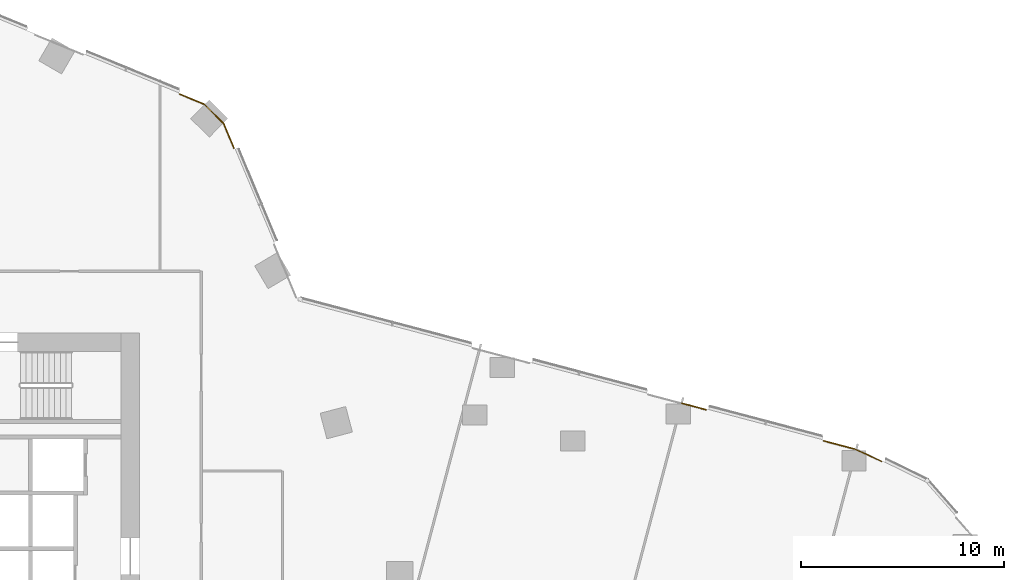
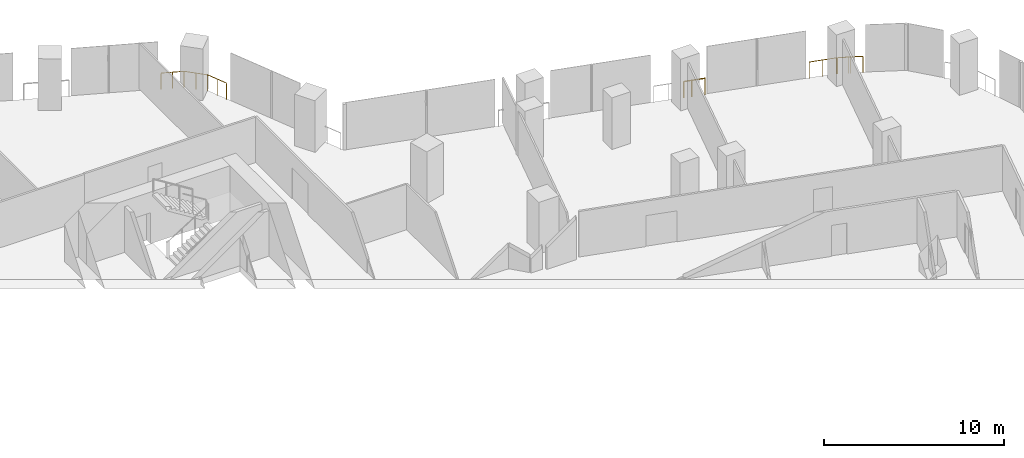
# One storey, part 34 of 34: 5 railings.
"""IFC4 building model written with IfcOpenShell, lengths in metres."""

from ifc_helpers import new_model, si_unit, direction, frame, origin, origin_2d, place, context, subcontext, project, spatial, circle, extrude, material, type_object, element, save


model = new_model("IFC4")

# Units and contexts
model_context = context("Model", 3, precision=1e-05, world=origin(), true_north=direction((0.0, 1.0)))
body_context = subcontext(model_context, "Body", "Model", "MODEL_VIEW")
ifc_project = project(units=[si_unit("LENGTHUNIT", "METRE"), si_unit("AREAUNIT", "SQUARE_METRE"), si_unit("VOLUMEUNIT", "CUBIC_METRE"), si_unit("PLANEANGLEUNIT", "RADIAN"), si_unit("MASSUNIT", "GRAM", prefix="KILO")], contexts=[model_context])

# Site, building, storey
site_placement = place(None, origin())
site = spatial("IfcSite", under=ifc_project, at=site_placement, CompositionType="ELEMENT")
building_placement = place(site_placement, origin())
building = spatial("IfcBuilding", under=site, at=building_placement, Name="Orlundy Tower", CompositionType="ELEMENT")
storey_placement = place(building_placement, frame((0.0, 0.0, 102.199951171875)))
storey = spatial("IfcBuildingStorey", under=building, at=storey_placement, Name="L25", CompositionType="ELEMENT", Elevation=102.199951171875)

# Railings
ifc_material = material(Name="Stainless steel bronze finish", Category="steel")
railing_type = type_object("IfcRailingType", Name="TG1 terrace guard", PredefinedType="GUARDRAIL", material=ifc_material)
railing_1_placement = place(storey_placement, frame((20.981689453125, 23.7705078125, 0.0)))
element("IfcRailing", 1, at=railing_1_placement, inside=storey, type_object=railing_type, Name="Guard TG-L25-E00", PredefinedType="GUARDRAIL", context=body_context, shape_type="SweptSolid", body=[
    extrude(circle(Radius=0.02490234375, at=origin_2d()), frame((0.0, 0.0, 1.09521484375), z_axis=(0.924934851319, -0.380125664505, 0.0), x_axis=(0.380125664505, 0.924934851319, 0.0)), (0.0, 0.0, 1.0), 1.298583984375),
    extrude(circle(Radius=0.02490234375, at=origin_2d()), frame((1.201171875, -0.49365234375, 1.09521484375), z_axis=(0.709078673472, -0.705129374531, 0.0), x_axis=(0.705129374531, 0.709078673472, 0.0)), (0.0, 0.0, 1.0), 1.360107421875),
    extrude(circle(Radius=0.02490234375, at=origin_2d()), frame((2.16552734375, -1.45263671875, 1.09521484375), z_axis=(0.385384216502, -0.922756200559, 0.0), x_axis=(0.922756200559, 0.385384216502, 0.0)), (0.0, 0.0, 1.0), 1.3076171875),
    extrude(circle(Radius=0.02001953125, at=origin_2d()), origin(), (0.0, 0.0, 1.0), 1.070068359375),
    extrude(circle(Radius=0.02001953125, at=origin_2d()), frame((0.6005859375, -0.246826171875, 0.0)), (0.0, 0.0, 1.0), 1.070068359375),
    extrude(circle(Radius=0.02001953125, at=origin_2d()), frame((1.201171875, -0.49365234375, 0.0)), (0.0, 0.0, 1.0), 1.070068359375),
    extrude(circle(Radius=0.02001953125, at=origin_2d()), frame((1.683349609375, -0.97314453125, 0.0)), (0.0, 0.0, 1.0), 1.070068359375),
    extrude(circle(Radius=0.02001953125, at=origin_2d()), frame((2.16552734375, -1.45263671875, 0.0)), (0.0, 0.0, 1.0), 1.070068359375),
    extrude(circle(Radius=0.02001953125, at=origin_2d()), frame((2.41748046875, -2.055908203125, 0.0)), (0.0, 0.0, 1.0), 1.070068359375),
    extrude(circle(Radius=0.02001953125, at=origin_2d()), frame((2.66943359375, -2.6591796875, 0.0)), (0.0, 0.0, 1.0), 1.070068359375),
])
railing_2_placement = place(storey_placement, frame((54.21728515625, 6.28955078125, 0.0)))
element("IfcRailing", 2, at=railing_2_placement, inside=storey, type_object=railing_type, Name="Guard TG-L25-E010", PredefinedType="GUARDRAIL", context=body_context, shape_type="SweptSolid", body=[
    extrude(circle(Radius=0.02490234375, at=origin_2d()), frame((0.0, 0.0, 1.09521484375), z_axis=(0.921882892067, -0.38746862236, 0.0), x_axis=(0.38746862236, 0.921882892067, 0.0)), (0.0, 0.0, 1.0), 0.66796875),
    extrude(circle(Radius=0.02490234375, at=origin_2d()), frame((0.61572265625, -0.2587890625, 1.09521484375), z_axis=(0.898093955184, -0.439803646712, 0.0), x_axis=(0.439803646712, 0.898093955184, 0.0)), (0.0, 0.0, 1.0), 0.81884765625),
    extrude(circle(Radius=0.02490234375, at=origin_2d()), frame((1.35107421875, -0.618896484375, 1.09521484375), z_axis=(-0.909178280773, 0.416407076994, 0.0), x_axis=(-0.416407076994, -0.909178280773, 0.0)), (0.0, 0.0, 1.0), 1.42578125),
    extrude(circle(Radius=0.02001953125, at=origin_2d()), origin(), (0.0, 0.0, 1.0), 1.070068359375),
    extrude(circle(Radius=0.02001953125, at=origin_2d()), frame((0.61572265625, -0.2587890625, 0.0)), (0.0, 0.0, 1.0), 1.070068359375),
    extrude(circle(Radius=0.02001953125, at=origin_2d()), frame((1.35107421875, -0.618896484375, 0.0)), (0.0, 0.0, 1.0), 1.070068359375),
    extrude(circle(Radius=0.02001953125, at=origin_2d()), frame((0.702880859375, -0.322021484375, 0.0)), (0.0, 0.0, 1.0), 1.070068359375),
    extrude(circle(Radius=0.02001953125, at=origin_2d()), frame((0.0546875, -0.025146484375, 0.0)), (0.0, 0.0, 1.0), 1.070068359375),
])
railing_3_placement = place(storey_placement, frame((52.7060546875, 6.689697265625, 0.0)))
element("IfcRailing", 3, at=railing_3_placement, inside=storey, type_object=railing_type, Name="Guard TG-L25-E022", PredefinedType="GUARDRAIL", context=body_context, shape_type="SweptSolid", body=[
    extrude(circle(Radius=0.02490234375, at=origin_2d()), frame((0.0, 0.0, 1.09521484375), z_axis=(0.966687045666, -0.255961238747, 0.0), x_axis=(0.255961238747, 0.966687045666, 0.0)), (0.0, 0.0, 1.0), 1.563232421875),
    extrude(circle(Radius=0.02001953125, at=origin_2d()), origin(), (0.0, 0.0, 1.0), 1.070068359375),
    extrude(circle(Radius=0.02001953125, at=origin_2d()), frame((0.755615234375, -0.2001953125, 0.0)), (0.0, 0.0, 1.0), 1.070068359375),
    extrude(circle(Radius=0.02001953125, at=origin_2d()), frame((1.51123046875, -0.400146484375, 0.0)), (0.0, 0.0, 1.0), 1.070068359375),
])
railing_4_placement = place(storey_placement, frame((46.1650390625, 8.422119140625, 0.0)))
element("IfcRailing", 4, at=railing_4_placement, inside=storey, type_object=railing_type, Name="Guard TG-L25-E028", PredefinedType="GUARDRAIL", context=body_context, shape_type="SweptSolid", body=[
    extrude(circle(Radius=0.02490234375, at=origin_2d()), frame((0.0, 0.0, 1.09521484375), z_axis=(0.96671214795, -0.255866416332, 0.0), x_axis=(0.255866416332, 0.96671214795, 0.0)), (0.0, 0.0, 1.0), 0.77001953125),
    extrude(circle(Radius=0.02001953125, at=origin_2d()), origin(), (0.0, 0.0, 1.0), 1.070068359375),
    extrude(circle(Radius=0.02001953125, at=origin_2d()), frame((0.744384765625, -0.197021484375, 0.0)), (0.0, 0.0, 1.0), 1.070068359375),
])
railing_5_placement = place(storey_placement, frame((45.72021484375, 8.5400390625, 0.0)))
element("IfcRailing", 5, at=railing_5_placement, inside=storey, type_object=railing_type, Name="Guard TG-L25-E031", PredefinedType="GUARDRAIL", context=body_context, shape_type="SweptSolid", body=[
    extrude(circle(Radius=0.02490234375, at=origin_2d()), frame((0.0, 0.0, 1.09521484375), z_axis=(0.966612526743, -0.256242508462, 0.0), x_axis=(0.256242508462, 0.966612526743, 0.0)), (0.0, 0.0, 1.0), 0.460205078125),
    extrude(circle(Radius=0.02001953125, at=origin_2d()), origin(), (0.0, 0.0, 1.0), 1.070068359375),
    extrude(circle(Radius=0.02001953125, at=origin_2d()), frame((0.44482421875, -0.117919921875, 0.0)), (0.0, 0.0, 1.0), 1.070068359375),
])

save(model, "model.ifc")
